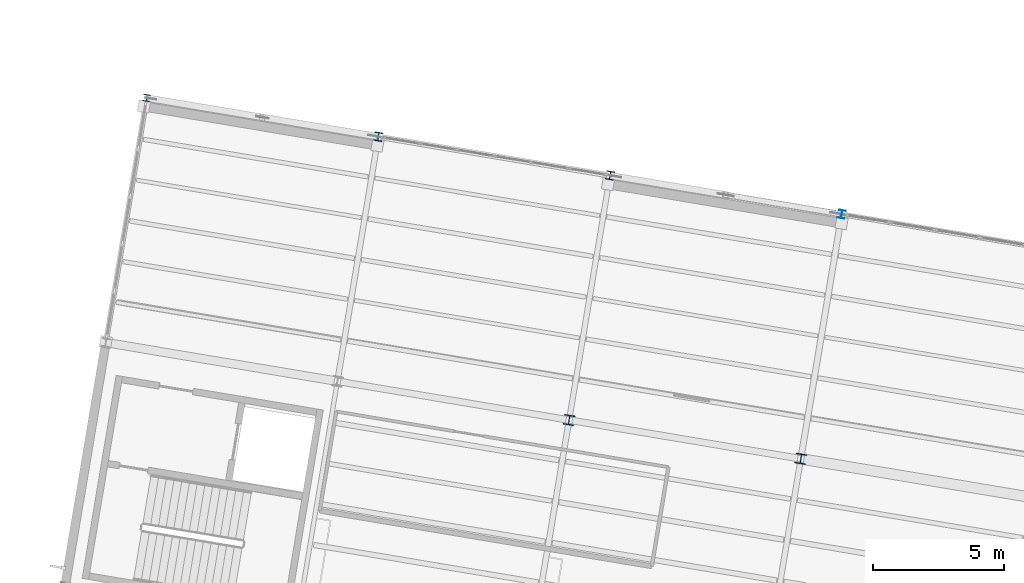
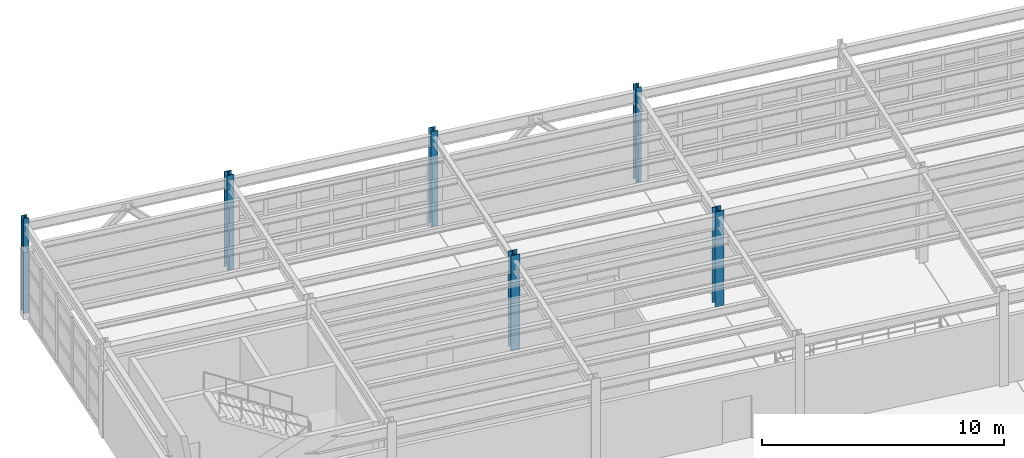
# One storey, part 10 of 102: 6 columns.
"""IFC4 building model written with IfcOpenShell, lengths in metres."""

from ifc_helpers import new_model, si_unit, direction, frame, origin, origin_2d, place, context, subcontext, project, spatial, i_section, extrude, material, material_profile, profile_set, type_object, element, save


model = new_model("IFC4")

# Units and contexts
model_context = context("Model", 3, precision=1e-05, world=origin(), true_north=direction((0.0, 1.0)))
body_context = subcontext(model_context, "Body", "Model", "MODEL_VIEW")
ifc_project = project(units=[si_unit("LENGTHUNIT", "METRE"), si_unit("AREAUNIT", "SQUARE_METRE"), si_unit("VOLUMEUNIT", "CUBIC_METRE"), si_unit("PLANEANGLEUNIT", "RADIAN"), si_unit("MASSUNIT", "GRAM", prefix="KILO")], contexts=[model_context])

# Site, building, storey
site_placement = place(None, origin())
site = spatial("IfcSite", under=ifc_project, at=site_placement, CompositionType="ELEMENT")
building_placement = place(site_placement, origin())
building = spatial("IfcBuilding", under=site, at=building_placement, Name="Vireo Bluff Cable Station", CompositionType="ELEMENT")
storey_placement = place(building_placement, frame((0.0, 0.0, 9.60009765625)))
storey = spatial("IfcBuildingStorey", under=building, at=storey_placement, Name="L02", CompositionType="ELEMENT", Elevation=9.60009765625)

# Columns
ifc_material = material(Name="Steel ASTM A992 Gr. 50", Category="steel")
ifc_material_profile_1 = material_profile(ifc_material, i_section(OverallWidth=0.39404296875, OverallDepth=0.3759765625, WebThickness=0.017333984375, FlangeThickness=0.027587890625, FilletRadius=0.014892578125, at=origin_2d()), Name="W14X145")
ifc_profile_set_1 = profile_set([ifc_material_profile_1], Name="Steel ASTM A992 Gr. 50")
column_type_1 = type_object("IfcColumnType", Name="COL-W14X145", PredefinedType="COLUMN", material=ifc_profile_set_1)
column_1_placement = place(storey_placement, frame((26.38916015625, 87.2685546875, 0.0), z_axis=(0.0, 0.0, 1.0), x_axis=(0.986285601537, -0.165047605861, 0.0)))
element("IfcColumn", 1, at=column_1_placement, inside=storey, type_object=column_type_1, Name="V4 L02 column 285", PredefinedType="COLUMN", context=body_context, shape_type="SweptSolid", body=[
    extrude(i_section(OverallWidth=0.39404296875, OverallDepth=0.3759765625, WebThickness=0.017333984375, FlangeThickness=0.027587890625, FilletRadius=0.014892578125, at=origin_2d()), origin(), (0.0, 0.0, 1.0), 4.7998046875),
])
ifc_material_profile_2 = material_profile(ifc_material, i_section(OverallWidth=0.39599609375, OverallDepth=0.381103515625, WebThickness=0.018798828125, FlangeThickness=0.0302734375, FilletRadius=0.014892578125, at=origin_2d()), Name="W14X159")
ifc_profile_set_2 = profile_set([ifc_material_profile_2], Name="Steel ASTM A992 Gr. 50")
column_type_2 = type_object("IfcColumnType", Name="COL-W14X159", PredefinedType="COLUMN", material=ifc_profile_set_2)
column_2_placement = place(storey_placement, frame((35.265625, 85.783203125, 0.0), z_axis=(0.0, 0.0, 1.0), x_axis=(0.986285601537, -0.165047605861, 0.0)))
element("IfcColumn", 2, at=column_2_placement, inside=storey, type_object=column_type_2, Name="V4 L02 column 300", PredefinedType="COLUMN", context=body_context, shape_type="SweptSolid", body=[
    extrude(i_section(OverallWidth=0.39599609375, OverallDepth=0.381103515625, WebThickness=0.018798828125, FlangeThickness=0.0302734375, FilletRadius=0.014892578125, at=origin_2d()), origin(), (0.0, 0.0, 1.0), 4.7998046875),
])
ifc_material_profile_3 = material_profile(ifc_material, i_section(OverallWidth=0.31298828125, OverallDepth=0.3330078125, WebThickness=0.01806640625, FlangeThickness=0.028076171875, FilletRadius=0.012939453125, at=origin_2d()), Name="W12X120")
ifc_profile_set_3 = profile_set([ifc_material_profile_3], Name="Steel ASTM A992 Gr. 50")
column_type_3 = type_object("IfcColumnType", Name="ECOL-W12X120", PredefinedType="COLUMN", material=ifc_profile_set_3)
column_3_placement = place(storey_placement, frame((19.080322265625, 98.123779296875, 0.0), z_axis=(0.0, 0.0, 1.0), x_axis=(0.986285601537, -0.165047605861, 0.0)))
element("IfcColumn", 3, at=column_3_placement, inside=storey, type_object=column_type_3, Name="V4 L02 column 274", PredefinedType="COLUMN", context=body_context, shape_type="SweptSolid", body=[
    extrude(i_section(OverallWidth=0.31298828125, OverallDepth=0.3330078125, WebThickness=0.01806640625, FlangeThickness=0.028076171875, FilletRadius=0.012939453125, at=origin_2d()), origin(), (0.0, 0.0, 1.0), 4.7998046875),
])
ifc_material_profile_4 = material_profile(ifc_material, i_section(OverallWidth=0.30908203125, OverallDepth=0.322998046875, WebThickness=0.013916015625, FlangeThickness=0.02294921875, FilletRadius=0.012939453125, at=origin_2d()), Name="W12X96")
ifc_profile_set_4 = profile_set([ifc_material_profile_4], Name="Steel ASTM A992 Gr. 50")
column_type_4 = type_object("IfcColumnType", Name="ECOL-W12X96", PredefinedType="COLUMN", material=ifc_profile_set_4)
column_4_placement = place(storey_placement, frame((27.95703125, 96.63818359375, 0.0), z_axis=(0.0, 0.0, 1.0), x_axis=(0.986285601537, -0.165047605861, 0.0)))
element("IfcColumn", 4, at=column_4_placement, inside=storey, type_object=column_type_4, Name="V4 L02 column 289", PredefinedType="COLUMN", context=body_context, shape_type="SweptSolid", body=[
    extrude(i_section(OverallWidth=0.30908203125, OverallDepth=0.322998046875, WebThickness=0.013916015625, FlangeThickness=0.02294921875, FilletRadius=0.012939453125, at=origin_2d()), origin(), (0.0, 0.0, 1.0), 4.7998046875),
])
ifc_material_profile_5 = material_profile(ifc_material, i_section(OverallWidth=0.2548828125, OverallDepth=0.256103515625, WebThickness=0.009521484375, FlangeThickness=0.015625, FilletRadius=0.009033203125, at=origin_2d()), Name="W10X54")
ifc_profile_set_5 = profile_set([ifc_material_profile_5], Name="Steel ASTM A992 Gr. 50")
column_type_5 = type_object("IfcColumnType", Name="PIL-W10X54", PredefinedType="PILASTER", material=ifc_profile_set_5)
column_5_placement = place(storey_placement, frame((10.203857421875, 99.609130859375, 0.0), z_axis=(0.0, 0.0, 1.0), x_axis=(0.986285601537, -0.165047605861, 0.0)))
element("IfcColumn", 5, at=column_5_placement, inside=storey, type_object=column_type_5, Name="V4 L02 column 259", PredefinedType="PILASTER", context=body_context, shape_type="SweptSolid", body=[
    extrude(i_section(OverallWidth=0.2548828125, OverallDepth=0.256103515625, WebThickness=0.009521484375, FlangeThickness=0.015625, FilletRadius=0.009033203125, at=origin_2d()), origin(), (0.0, 0.0, 1.0), 4.7998046875),
])
ifc_material_profile_6 = material_profile(ifc_material, i_section(OverallWidth=0.25390625, OverallDepth=0.31005859375, WebThickness=0.009033203125, FlangeThickness=0.016357421875, FilletRadius=0.010986328125, at=origin_2d()), Name="W12X58")
ifc_profile_set_6 = profile_set([ifc_material_profile_6], Name="Steel ASTM A992 Gr. 50")
column_type_6 = type_object("IfcColumnType", Name="PIL-W12X58", PredefinedType="PILASTER", material=ifc_profile_set_6)
column_6_placement = place(storey_placement, frame((36.83349609375, 95.15283203125, 0.0), z_axis=(0.0, 0.0, 1.0), x_axis=(0.986285601537, -0.165047605861, 0.0)))
element("IfcColumn", 6, at=column_6_placement, inside=storey, type_object=column_type_6, Name="V4 L02 column 304", PredefinedType="PILASTER", context=body_context, shape_type="SweptSolid", body=[
    extrude(i_section(OverallWidth=0.25390625, OverallDepth=0.31005859375, WebThickness=0.009033203125, FlangeThickness=0.016357421875, FilletRadius=0.010986328125, at=origin_2d()), origin(), (0.0, 0.0, 1.0), 4.7998046875),
])

save(model, "model.ifc")
